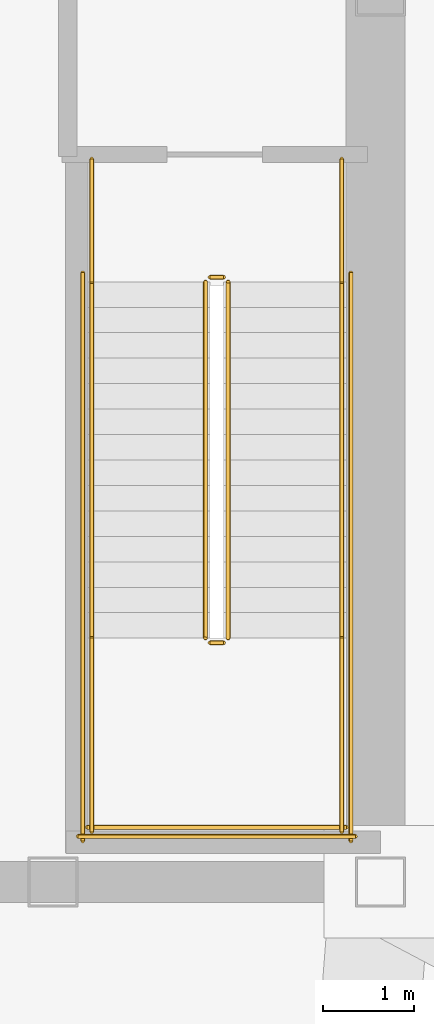
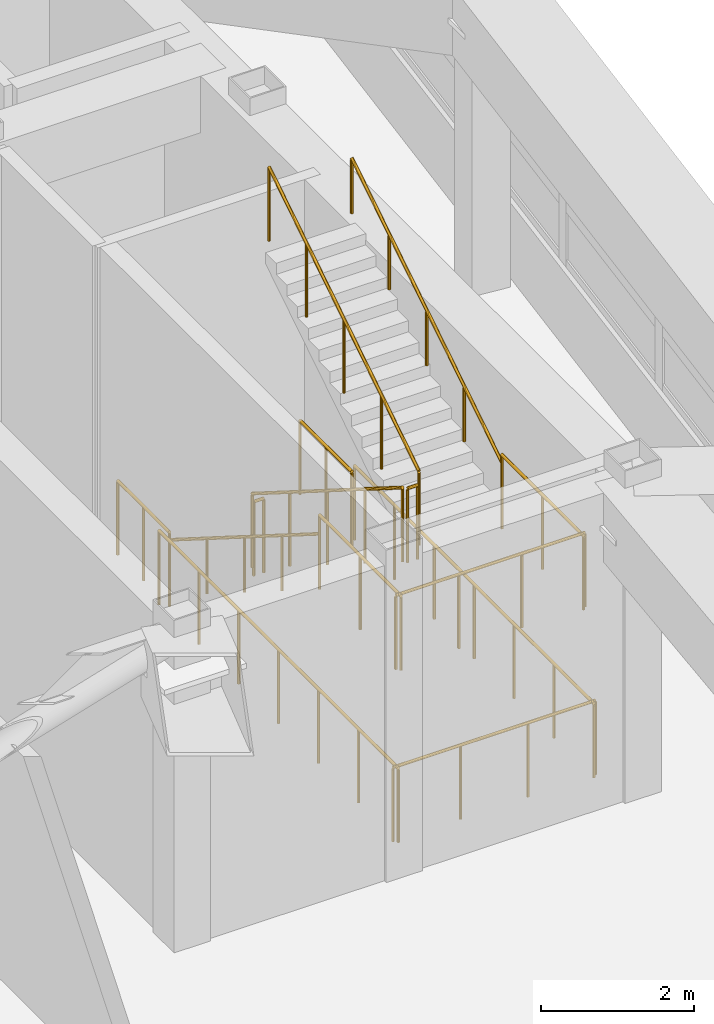
# One storey, part 23 of 23: 14 railings.
"""IFC4 building model written with IfcOpenShell, lengths in metres."""

import ifcopenshell
import ifcopenshell.guid

model = None  # the IFC model being written
_history = None  # IfcOwnerHistory: only IFC2X3 demands one
_inside = {}  # id of a spatial element -> (the spatial element, [elements in it])
_under = {}  # id of a project, library or spatial element -> (it, [spatial elements below it])
_declared = {}  # id of a project -> (the project, [libraries it declares])
_typed = {}  # id of a type object -> (the type object, [elements of that type])
_made_of = {}  # id of a material, layer set ... -> (it, [elements and type objects made of it])


def new_model(schema):
    """Start an empty IFC model of exactly this schema.

    Asked for "IFC4X3", IfcOpenShell would pick the latest addendum, in which some entities
    have other attributes; the version numbers below select the first issue.
    IFC2X3 requires an IfcOwnerHistory on every rooted entity: one is made here for all.
    """
    global model, _history
    if schema == "IFC4X3":
        model = ifcopenshell.file(schema_version=(4, 3, 0, 0))
    else:
        model = ifcopenshell.file(schema=schema)
    _inside.clear()
    _under.clear()
    _declared.clear()
    _typed.clear()
    _made_of.clear()
    _history = None
    if model.schema == "IFC2X3":
        org = make("IfcOrganization", Name="unknown")
        user = make(
            "IfcPersonAndOrganization",
            ThePerson=make("IfcPerson", FamilyName="unknown"),
            TheOrganization=org,
        )
        app = make(
            "IfcApplication",
            ApplicationDeveloper=org,
            Version="unknown",
            ApplicationFullName="unknown",
            ApplicationIdentifier="unknown",
        )
        _history = make(
            "IfcOwnerHistory",
            OwningUser=user,
            OwningApplication=app,
            ChangeAction="ADDED",
            CreationDate=0,
        )
    return model


def make(cls, **values):
    """One entity of the class cls with the attributes given. An attribute that is None is left unset."""
    return model.create_entity(
        cls, **{name: value for name, value in values.items() if value is not None}
    )


def rooted(cls, **values):
    """An entity with a GlobalId (a new one), such as an element, a storey or a relation."""
    return make(cls, GlobalId=ifcopenshell.guid.new(), OwnerHistory=_history, **values)


def si_unit(unit_type, name, prefix=None):
    """IfcSIUnit, for example si_unit("LENGTHUNIT", "METRE", prefix="MILLI")."""
    return make("IfcSIUnit", UnitType=unit_type, Prefix=prefix, Name=name)


def assignment(units):
    """IfcUnitAssignment: the units of a project."""
    return None if units is None else make("IfcUnitAssignment", Units=units)


def point(xyz):
    """IfcCartesianPoint."""
    return None if xyz is None else make("IfcCartesianPoint", Coordinates=xyz)


def direction(xyz):
    """IfcDirection."""
    return None if xyz is None else make("IfcDirection", DirectionRatios=xyz)


def frame(location, z_axis=None, x_axis=None):
    """IfcAxis2Placement3D, a coordinate frame: its origin and axes. An axis left out is left unset."""
    return make(
        "IfcAxis2Placement3D",
        Location=point(location),
        Axis=direction(z_axis),
        RefDirection=direction(x_axis),
    )


def frame_2d(location, x_axis=None):
    """IfcAxis2Placement2D, a coordinate frame in the plane: its origin and x axis."""
    return make(
        "IfcAxis2Placement2D", Location=point(location), RefDirection=direction(x_axis)
    )


def origin():
    """The frame at (0, 0, 0) with its axes left unset."""
    return frame((0.0, 0.0, 0.0))


def origin_2d():
    """The frame at (0, 0) in the plane with its x axis left unset."""
    return frame_2d((0.0, 0.0))


def place(relative_to, where):
    """IfcLocalPlacement: puts the frame where relative to a parent placement (None: the world)."""
    return make(
        "IfcLocalPlacement", PlacementRelTo=relative_to, RelativePlacement=where
    )


def context(
    kind, dimensions, precision=None, world=None, true_north=None, identifier=None
):
    """IfcGeometricRepresentationContext, for example the 3D "Model" context."""
    return make(
        "IfcGeometricRepresentationContext",
        ContextIdentifier=identifier,
        ContextType=kind,
        CoordinateSpaceDimension=dimensions,
        Precision=precision,
        WorldCoordinateSystem=world,
        TrueNorth=true_north,
    )


def subcontext(parent, identifier, kind, view, scale=None):
    """IfcGeometricRepresentationSubContext, for example "Body" below "Model"."""
    return make(
        "IfcGeometricRepresentationSubContext",
        ContextIdentifier=identifier,
        ContextType=kind,
        ParentContext=parent,
        TargetScale=scale,
        TargetView=view,
    )


def project(units=None, contexts=None):
    """IfcProject with its units and contexts."""
    return rooted(
        "IfcProject",
        Name="project",
        RepresentationContexts=contexts,
        UnitsInContext=assignment(units),
    )


def spatial(cls, under=None, at=None, **own):
    """A site, building, storey or space (cls), placed at a placement, below another one or the project."""
    s = rooted(cls, ObjectPlacement=at, **own)
    if under is not None:
        _under.setdefault(under.id(), (under, []))[1].append(s)
    return s


def profile(cls, at=None, kind="AREA", **sizes):
    """A parametric profile (cls). Its sizes go by their IFC names, for example OverallWidth=200.0."""
    return make(cls, ProfileType=kind, Position=at, **sizes)


def circle(**sizes):
    """IfcCircleProfileDef."""
    return profile("IfcCircleProfileDef", **sizes)


def extrude(swept, where, along, depth):
    """IfcExtrudedAreaSolid: the profile swept, set in the frame where, extruded along a direction by depth."""
    return make(
        "IfcExtrudedAreaSolid",
        SweptArea=swept,
        Position=where,
        ExtrudedDirection=direction(along),
        Depth=depth,
    )


def shape(context_of_items, identifier, shape_type, items):
    """IfcShapeRepresentation: the items that make up one representation, for example the "Body"."""
    return make(
        "IfcShapeRepresentation",
        ContextOfItems=context_of_items,
        RepresentationIdentifier=identifier,
        RepresentationType=shape_type,
        Items=items,
    )


def material(Name=None, Category=None):
    """IfcMaterial."""
    return make("IfcMaterial", Name=Name, Category=Category)


def made_of(thing, what):
    """Note that an element or type object is made of a material, layer set ...; save() writes the relation."""
    if what is not None:
        _made_of.setdefault(what.id(), (what, []))[1].append(thing)
    return thing


def type_object(cls, material=None, **own):
    """A type object (cls), such as IfcWallType, which elements share."""
    return made_of(rooted(cls, **own), material)


def element(
    cls,
    number,
    at=None,
    inside=None,
    cuts=None,
    type_object=None,
    material=None,
    context=None,
    identifier="Body",
    shape_type=None,
    held_by="IfcProductDefinitionShape",
    body=None,
    shapes=None,
    **own,
):
    """One element of the class cls, such as IfcWall. Its Tag is "e" and its number.

    at: its placement. inside: the storey or other place that contains it. cuts: it is an
    opening in that element (IfcRelVoidsElement). A single representation is given by context,
    identifier, shape_type and body (its items); several are given by shapes. held_by: the class
    of the entity that holds the representations. save() writes the other relations.
    """
    e = rooted(cls, Tag="e%d" % number, ObjectPlacement=at, **own)
    if body is not None:
        shapes = [shape(context, identifier, shape_type, body)]
    if shapes is not None:
        e.Representation = make(held_by, Representations=shapes)
    if inside is not None:
        _inside.setdefault(inside.id(), (inside, []))[1].append(e)
    if cuts is not None:
        rooted(
            "IfcRelVoidsElement", RelatingBuildingElement=cuts, RelatedOpeningElement=e
        )
    if type_object is not None:
        _typed.setdefault(type_object.id(), (type_object, []))[1].append(e)
    return made_of(e, material)


def aggregate(whole, parts):
    """IfcRelAggregates: a whole, such as a stair, and the parts it consists of."""
    return rooted("IfcRelAggregates", RelatingObject=whole, RelatedObjects=parts)


def save(model, path):
    """Write the relations noted so far, then the file.

    IfcRelAggregates (storeys below a building ...), IfcRelContainedInSpatialStructure (elements
    in a storey), IfcRelDefinesByType, IfcRelAssociatesMaterial and IfcRelDeclares: one each for
    every whole, place, type object, material and project.
    """
    for whole, parts in _under.values():
        aggregate(whole, parts)
    for where, things in _inside.values():
        rooted(
            "IfcRelContainedInSpatialStructure",
            RelatedElements=things,
            RelatingStructure=where,
        )
    for kind, things in _typed.values():
        rooted("IfcRelDefinesByType", RelatedObjects=things, RelatingType=kind)
    for what, things in _made_of.values():
        rooted("IfcRelAssociatesMaterial", RelatedObjects=things, RelatingMaterial=what)
    for by, libraries in _declared.values():
        rooted("IfcRelDeclares", RelatingContext=by, RelatedDefinitions=libraries)
    model.write(path)


model = new_model("IFC4")

# Units and contexts
model_context = context("Model", 3, precision=1e-05, world=origin(), true_north=direction((0.0, 1.0)))
body_context = subcontext(model_context, "Body", "Model", "MODEL_VIEW")
ifc_project = project(units=[si_unit("LENGTHUNIT", "METRE"), si_unit("AREAUNIT", "SQUARE_METRE"), si_unit("VOLUMEUNIT", "CUBIC_METRE"), si_unit("PLANEANGLEUNIT", "RADIAN"), si_unit("MASSUNIT", "GRAM", prefix="KILO")], contexts=[model_context])

# Site, building, storey
site_placement = place(None, origin())
site = spatial("IfcSite", under=ifc_project, at=site_placement, CompositionType="ELEMENT")
building_placement = place(site_placement, origin())
building = spatial("IfcBuilding", under=site, at=building_placement, Name="Voryun Gate Residences", CompositionType="ELEMENT")
storey_placement = place(building_placement, frame((0.0, 0.0, 316.0)))
storey = spatial("IfcBuildingStorey", under=building, at=storey_placement, Name="L78", CompositionType="ELEMENT", Elevation=316.0)

# Railings
ifc_material_1 = material(Name="Painted steel", Category="steel")
railing_type_1 = type_object("IfcRailingType", Name="RAIL_STAIR_GUARD_1200", PredefinedType="GUARDRAIL", material=ifc_material_1)
railing_1_placement = place(storey_placement, frame((17.27490234375, -0.800048828125, 0.1767578125)))
element("IfcRailing", 1, at=railing_1_placement, inside=storey, type_object=railing_type_1, Name="L78 ST-E1 stair guard 1", PredefinedType="GUARDRAIL", context=body_context, shape_type="SweptSolid", body=[
    extrude(circle(Radius=0.02392578125, at=origin_2d()), frame((0.0, 0.0, 1.17578125), z_axis=(0.0, -0.845741645819, 0.53359260539), x_axis=(1.0, 0.0, 0.0)), (0.0, 0.0, 1.0), 4.635009765625),
    extrude(circle(Radius=0.02099609375, at=origin_2d()), origin(), (0.0, 0.0, 1.0), 1.15185546875),
    extrude(circle(Radius=0.02099609375, at=origin_2d()), frame((0.0, -0.97998046875, 0.6181640625)), (0.0, 0.0, 1.0), 1.15185546875),
    extrude(circle(Radius=0.02099609375, at=origin_2d()), frame((0.0, -1.9599609375, 1.236572265625)), (0.0, 0.0, 1.0), 1.15185546875),
    extrude(circle(Radius=0.02099609375, at=origin_2d()), frame((0.0, -2.93994140625, 1.85498046875)), (0.0, 0.0, 1.0), 1.15185546875),
    extrude(circle(Radius=0.02099609375, at=origin_2d()), frame((0.0, -3.919921875, 2.47314453125)), (0.0, 0.0, 1.0), 1.15185546875),
])
railing_2_placement = place(storey_placement, frame((17.324951171875, -4.77001953125, 2.64990234375)))
element("IfcRailing", 2, at=railing_2_placement, inside=storey, type_object=railing_type_1, Name="L78 ST-E1 stair guard 2", PredefinedType="GUARDRAIL", context=body_context, shape_type="SweptSolid", body=[
    extrude(circle(Radius=0.02392578125, at=origin_2d()), frame((0.0, 0.0, 1.17578125), z_axis=(1.0, 0.0, 0.0), x_axis=(0.0, 1.0, 0.0)), (0.0, 0.0, 1.0), 0.150146484375),
    extrude(circle(Radius=0.02099609375, at=origin_2d()), origin(), (0.0, 0.0, 1.0), 1.15185546875),
    extrude(circle(Radius=0.02099609375, at=origin_2d()), frame((0.150146484375, 0.0, 0.0)), (0.0, 0.0, 1.0), 1.15185546875),
])
for number, where, name in (
    (3, (16.02490234375, -4.719970703125, 2.64990234375), "L78 ST-E1 stair guard 3"),
    (4, (18.77490234375, -4.719970703125, 2.64990234375), "L78 ST-E1 stair guard 4"),
):
    element("IfcRailing", number, at=place(storey_placement, frame(where)), inside=storey, type_object=railing_type_1, Name=name, PredefinedType="GUARDRAIL", context=body_context, shape_type="SweptSolid", body=[
        extrude(circle(Radius=0.02392578125, at=origin_2d()), frame((0.0, 0.0, 1.17578125), z_axis=(0.0, -1.0, 0.0), x_axis=(1.0, 0.0, 0.0)), (0.0, 0.0, 1.0), 2.130126953125),
        extrude(circle(Radius=0.02099609375, at=origin_2d()), origin(), (0.0, 0.0, 1.0), 1.15185546875),
        extrude(circle(Radius=0.02099609375, at=origin_2d()), frame((0.0, -1.06494140625, 0.0)), (0.0, 0.0, 1.0), 1.15185546875),
        extrude(circle(Radius=0.02099609375, at=origin_2d()), frame((0.0, -2.130126953125, 0.0)), (0.0, 0.0, 1.0), 1.15185546875),
    ])
railing_3_placement = place(storey_placement, frame((15.97509765625, -6.800048828125, 2.64990234375)))
element("IfcRailing", 5, at=railing_3_placement, inside=storey, type_object=railing_type_1, Name="L78 ST-E1 stair guard 5", PredefinedType="GUARDRAIL", context=body_context, shape_type="SweptSolid", body=[
    extrude(circle(Radius=0.02392578125, at=origin_2d()), frame((0.0, 0.0, 1.17578125), z_axis=(1.0, 0.0, 0.0), x_axis=(0.0, 1.0, 0.0)), (0.0, 0.0, 1.0), 2.849853515625),
    extrude(circle(Radius=0.02099609375, at=origin_2d()), origin(), (0.0, 0.0, 1.0), 1.15185546875),
    extrude(circle(Radius=0.02099609375, at=origin_2d()), frame((0.949951171875, 0.0, 0.0)), (0.0, 0.0, 1.0), 1.15185546875),
    extrude(circle(Radius=0.02099609375, at=origin_2d()), frame((1.89990234375, 0.0, 0.0)), (0.0, 0.0, 1.0), 1.15185546875),
    extrude(circle(Radius=0.02099609375, at=origin_2d()), frame((2.849853515625, 0.0, 0.0)), (0.0, 0.0, 1.0), 1.15185546875),
])
railing_4_placement = place(storey_placement, frame((17.52490234375, -4.719970703125, 2.82666015625)))
element("IfcRailing", 6, at=railing_4_placement, inside=storey, type_object=railing_type_1, Name="L78 ST-E1 stair guard 6", PredefinedType="GUARDRAIL", context=body_context, shape_type="SweptSolid", body=[
    extrude(circle(Radius=0.02392578125, at=origin_2d()), frame((0.0, 0.0, 1.17578125), z_axis=(0.0, 0.845717874625, 0.533630280756), x_axis=(-1.0, 0.0, 0.0)), (0.0, 0.0, 1.0), 4.635009765625),
    extrude(circle(Radius=0.02099609375, at=origin_2d()), origin(), (0.0, 0.0, 1.0), 1.15185546875),
    extrude(circle(Radius=0.02099609375, at=origin_2d()), frame((0.0, 0.97998046875, 0.618408203125)), (0.0, 0.0, 1.0), 1.15185546875),
    extrude(circle(Radius=0.02099609375, at=origin_2d()), frame((0.0, 1.9599609375, 1.23681640625)), (0.0, 0.0, 1.0), 1.15185546875),
    extrude(circle(Radius=0.02099609375, at=origin_2d()), frame((0.0, 2.93994140625, 1.85498046875)), (0.0, 0.0, 1.0), 1.15185546875),
    extrude(circle(Radius=0.02099609375, at=origin_2d()), frame((0.0, 3.919921875, 2.473388671875)), (0.0, 0.0, 1.0), 1.15185546875),
])
railing_5_placement = place(storey_placement, frame((17.324951171875, -0.75, 0.0)))
element("IfcRailing", 7, at=railing_5_placement, inside=storey, type_object=railing_type_1, Name="L78 ST-E1 stair guard 7", PredefinedType="GUARDRAIL", context=body_context, shape_type="SweptSolid", body=[
    extrude(circle(Radius=0.02392578125, at=origin_2d()), frame((0.0, 0.0, 1.17578125), z_axis=(1.0, 0.0, 0.0), x_axis=(0.0, 1.0, 0.0)), (0.0, 0.0, 1.0), 0.150146484375),
    extrude(circle(Radius=0.02099609375, at=origin_2d()), origin(), (0.0, 0.0, 1.0), 1.15185546875),
    extrude(circle(Radius=0.02099609375, at=origin_2d()), frame((0.150146484375, 0.0, 0.0)), (0.0, 0.0, 1.0), 1.15185546875),
])
for number, where, name in (
    (8, (16.02490234375, 0.550048828125, 0.0), "L78 ST-E1 stair guard 8"),
    (9, (18.77490234375, 0.550048828125, 0.0), "L78 ST-E1 stair guard 9"),
):
    element("IfcRailing", number, at=place(storey_placement, frame(where)), inside=storey, type_object=railing_type_1, Name=name, PredefinedType="GUARDRAIL", context=body_context, shape_type="SweptSolid", body=[
        extrude(circle(Radius=0.02392578125, at=origin_2d()), frame((0.0, 0.0, 1.17578125), z_axis=(0.0, -1.0, 0.0), x_axis=(1.0, 0.0, 0.0)), (0.0, 0.0, 1.0), 1.35009765625),
        extrude(circle(Radius=0.02099609375, at=origin_2d()), origin(), (0.0, 0.0, 1.0), 1.15185546875),
        extrude(circle(Radius=0.02099609375, at=origin_2d()), frame((0.0, -0.675048828125, 0.0)), (0.0, 0.0, 1.0), 1.15185546875),
        extrude(circle(Radius=0.02099609375, at=origin_2d()), frame((0.0, -1.35009765625, 0.0)), (0.0, 0.0, 1.0), 1.15185546875),
    ])
for number, where, name in (
    (10, (15.925048828125, -0.699951171875, 0.0), "L78 ST-E1 stair guard 10"),
    (11, (18.875, -0.699951171875, 0.0), "L78 ST-E1 stair guard 11"),
):
    element("IfcRailing", number, at=place(storey_placement, frame(where)), inside=storey, type_object=railing_type_1, Name=name, PredefinedType="GUARDRAIL", context=body_context, shape_type="SweptSolid", body=[
        extrude(circle(Radius=0.02392578125, at=origin_2d()), frame((0.0, 0.0, 1.17578125), z_axis=(0.0, -1.0, 0.0), x_axis=(1.0, 0.0, 0.0)), (0.0, 0.0, 1.0), 6.25),
        extrude(circle(Radius=0.02099609375, at=origin_2d()), origin(), (0.0, 0.0, 1.0), 1.15185546875),
        extrude(circle(Radius=0.02099609375, at=origin_2d()), frame((0.0, -1.041748046875, 0.0)), (0.0, 0.0, 1.0), 1.15185546875),
        extrude(circle(Radius=0.02099609375, at=origin_2d()), frame((0.0, -2.083251953125, 0.0)), (0.0, 0.0, 1.0), 1.15185546875),
        extrude(circle(Radius=0.02099609375, at=origin_2d()), frame((0.0, -3.125, 0.0)), (0.0, 0.0, 1.0), 1.15185546875),
        extrude(circle(Radius=0.02099609375, at=origin_2d()), frame((0.0, -4.166748046875, 0.0)), (0.0, 0.0, 1.0), 1.15185546875),
        extrude(circle(Radius=0.02099609375, at=origin_2d()), frame((0.0, -5.208251953125, 0.0)), (0.0, 0.0, 1.0), 1.15185546875),
        extrude(circle(Radius=0.02099609375, at=origin_2d()), frame((0.0, -6.25, 0.0)), (0.0, 0.0, 1.0), 1.15185546875),
    ])
railing_6_placement = place(storey_placement, frame((15.875, -6.89990234375, 0.0)))
element("IfcRailing", 12, at=railing_6_placement, inside=storey, type_object=railing_type_1, Name="L78 ST-E1 stair guard 12", PredefinedType="GUARDRAIL", context=body_context, shape_type="SweptSolid", body=[
    extrude(circle(Radius=0.02392578125, at=origin_2d()), frame((0.0, 0.0, 1.17578125), z_axis=(1.0, 0.0, 0.0), x_axis=(0.0, 1.0, 0.0)), (0.0, 0.0, 1.0), 3.050048828125),
    extrude(circle(Radius=0.02099609375, at=origin_2d()), origin(), (0.0, 0.0, 1.0), 1.15185546875),
    extrude(circle(Radius=0.02099609375, at=origin_2d()), frame((1.0166015625, 0.0, 0.0)), (0.0, 0.0, 1.0), 1.15185546875),
    extrude(circle(Radius=0.02099609375, at=origin_2d()), frame((2.033447265625, 0.0, 0.0)), (0.0, 0.0, 1.0), 1.15185546875),
    extrude(circle(Radius=0.02099609375, at=origin_2d()), frame((3.050048828125, 0.0, 0.0)), (0.0, 0.0, 1.0), 1.15185546875),
])
ifc_material_2 = material(Name="Painted steel", Category="steel")
railing_type_2 = type_object("IfcRailingType", Name="RAIL_STAIR_HANDRAIL_900", PredefinedType="HANDRAIL", material=ifc_material_2)
railing_7_placement = place(storey_placement, frame((16.02490234375, -0.800048828125, 0.1767578125)))
element("IfcRailing", 13, at=railing_7_placement, inside=storey, type_object=railing_type_2, Name="L78 ST-E1 stair handrail 1", PredefinedType="HANDRAIL", context=body_context, shape_type="SweptSolid", body=[
    extrude(circle(Radius=0.02392578125, at=origin_2d()), frame((0.0, 0.0, 0.8759765625), z_axis=(0.0, -0.845741645819, 0.53359260539), x_axis=(1.0, 0.0, 0.0)), (0.0, 0.0, 1.0), 4.635009765625),
    extrude(circle(Radius=0.02099609375, at=origin_2d()), origin(), (0.0, 0.0, 1.0), 0.851806640625),
    extrude(circle(Radius=0.02099609375, at=origin_2d()), frame((0.0, -0.97998046875, 0.6181640625)), (0.0, 0.0, 1.0), 0.851806640625),
    extrude(circle(Radius=0.02099609375, at=origin_2d()), frame((0.0, -1.9599609375, 1.236572265625)), (0.0, 0.0, 1.0), 0.851806640625),
    extrude(circle(Radius=0.02099609375, at=origin_2d()), frame((0.0, -2.93994140625, 1.85498046875)), (0.0, 0.0, 1.0), 0.851806640625),
    extrude(circle(Radius=0.02099609375, at=origin_2d()), frame((0.0, -3.919921875, 2.47314453125)), (0.0, 0.0, 1.0), 0.851806640625),
])
railing_8_placement = place(storey_placement, frame((18.77490234375, -4.719970703125, 2.82666015625)))
element("IfcRailing", 14, at=railing_8_placement, inside=storey, type_object=railing_type_2, Name="L78 ST-E1 stair handrail 2", PredefinedType="HANDRAIL", context=body_context, shape_type="SweptSolid", body=[
    extrude(circle(Radius=0.02392578125, at=origin_2d()), frame((0.0, 0.0, 0.8759765625), z_axis=(0.0, 0.845717874625, 0.533630280756), x_axis=(-1.0, 0.0, 0.0)), (0.0, 0.0, 1.0), 4.635009765625),
    extrude(circle(Radius=0.02099609375, at=origin_2d()), origin(), (0.0, 0.0, 1.0), 0.851806640625),
    extrude(circle(Radius=0.02099609375, at=origin_2d()), frame((0.0, 0.97998046875, 0.618408203125)), (0.0, 0.0, 1.0), 0.851806640625),
    extrude(circle(Radius=0.02099609375, at=origin_2d()), frame((0.0, 1.9599609375, 1.23681640625)), (0.0, 0.0, 1.0), 0.851806640625),
    extrude(circle(Radius=0.02099609375, at=origin_2d()), frame((0.0, 2.93994140625, 1.85498046875)), (0.0, 0.0, 1.0), 0.851806640625),
    extrude(circle(Radius=0.02099609375, at=origin_2d()), frame((0.0, 3.919921875, 2.473388671875)), (0.0, 0.0, 1.0), 0.851806640625),
])

save(model, "model.ifc")
